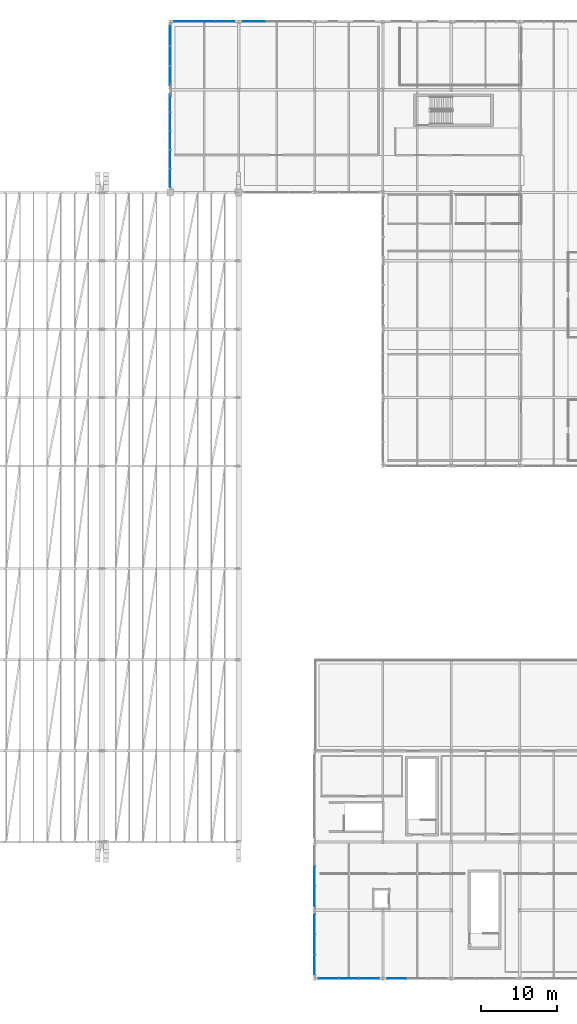
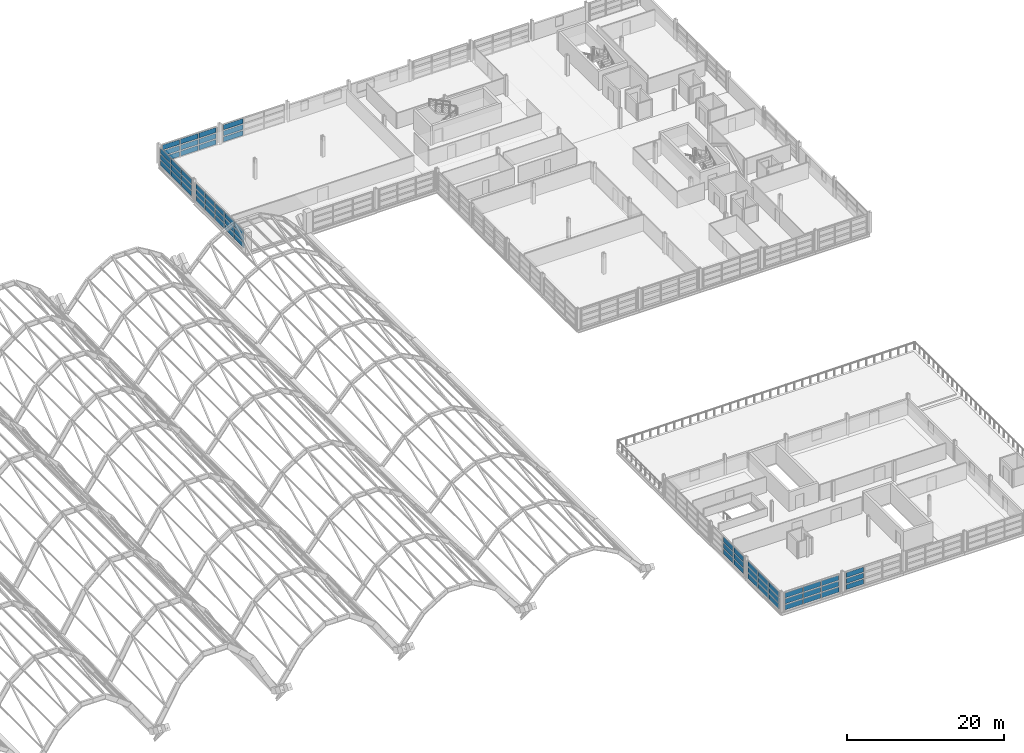
# One storey, part 56 of 86: 63 plates, 8 elements without a shape of their own.
"""IFC4 building model written with IfcOpenShell, lengths in metres."""

from ifc_helpers import new_model, si_unit, direction, frame, origin, origin_2d, place, context, subcontext, project, spatial, rectangle, extrude, material, layer, layer_set, type_object, element, aggregate, save


model = new_model("IFC4")

# Units and contexts
model_context = context("Model", 3, precision=1e-05, world=origin(), true_north=direction((0.0, 1.0)))
body_context = subcontext(model_context, "Body", "Model", "MODEL_VIEW")
ifc_project = project(units=[si_unit("LENGTHUNIT", "METRE"), si_unit("AREAUNIT", "SQUARE_METRE"), si_unit("VOLUMEUNIT", "CUBIC_METRE"), si_unit("PLANEANGLEUNIT", "RADIAN"), si_unit("MASSUNIT", "GRAM", prefix="KILO")], contexts=[model_context])

# Site, building, storey
site_placement = place(None, origin())
site = spatial("IfcSite", under=ifc_project, at=site_placement, CompositionType="ELEMENT")
building_placement = place(site_placement, origin())
building = spatial("IfcBuilding", under=site, at=building_placement, Name="Chuanluo Vaults Station", CompositionType="ELEMENT")
storey_placement = place(building_placement, frame((0.0, 0.0, 14.39990234375)))
storey = spatial("IfcBuildingStorey", under=building, at=storey_placement, Name="L03", CompositionType="ELEMENT", Elevation=14.39990234375)

# Curtain wall, plates
ifc_material_1 = material(Name="Anodised aluminium 6063-T6", Category="aluminium")
curtain_wall_type_1 = type_object("IfcCurtainWallType", Name="CW-SYS-03", PredefinedType="NOTDEFINED", material=ifc_material_1)
curtain_wall_1_placement = place(storey_placement, origin())
curtain_wall_1 = element("IfcCurtainWall", 1, at=curtain_wall_1_placement, inside=storey, type_object=curtain_wall_type_1, Name="Retail pavilion L03 facade CW", PredefinedType="NOTDEFINED")
ifc_material_2 = material(Name="Ceramic-fritted spandrel glass", Category="glass")
ifc_layer_1 = layer(ifc_material_2, 0.06396484375)
ifc_layer_set_1 = layer_set([ifc_layer_1], Name="Ceramic-fritted spandrel glass")
plate_type_1 = type_object("IfcPlateType", Name="CWP-SPN-42", PredefinedType="SHEET", material=ifc_layer_set_1)
plate_1_placement = place(storey_placement, frame((136.0, 10.816650390625, 0.080078125), z_axis=(0.0, 0.0, 1.0), x_axis=(0.0, 1.0, 0.0)))
plate_1 = element("IfcPlate", 2, at=plate_1_placement, type_object=plate_type_1, Name="Retail pavilion L03 facade CW glazed panel 1.1", PredefinedType="SHEET", context=body_context, shape_type="SweptSolid", body=[
    extrude(rectangle(XDim=2.523193359375, YDim=0.06396484375, at=origin_2d()), origin(), (0.0, 0.0, 1.0), 0.773193359375),
])
plate_2_placement = place(storey_placement, frame((136.0, 13.5, 0.080078125), z_axis=(0.0, 0.0, 1.0), x_axis=(0.0, 1.0, 0.0)))
plate_2 = element("IfcPlate", 3, at=plate_2_placement, type_object=plate_type_1, Name="Retail pavilion L03 facade CW glazed panel 2.1", PredefinedType="SHEET", context=body_context, shape_type="SweptSolid", body=[
    extrude(rectangle(XDim=2.523193359375, YDim=0.06396484375, at=origin_2d()), origin(), (0.0, 0.0, 1.0), 0.773193359375),
])

ifc_material_3 = material(Name="Anodised aluminium 6063-T6", Category="aluminium")
curtain_wall_type_2 = type_object("IfcCurtainWallType", Name="CW-SYS-05", PredefinedType="NOTDEFINED", material=ifc_material_3)
curtain_wall_2_placement = place(storey_placement, origin())
curtain_wall_2 = element("IfcCurtainWall", 4, at=curtain_wall_2_placement, inside=storey, type_object=curtain_wall_type_2, Name="Retail pavilion L03 facade CW", PredefinedType="NOTDEFINED")
plate_3_placement = place(storey_placement, frame((143.183349609375, 0.0, 0.080078125), z_axis=(0.0, 0.0, 1.0), x_axis=(-1.0, 0.0, 0.0)))
plate_3 = element("IfcPlate", 5, at=plate_3_placement, type_object=plate_type_1, Name="Retail pavilion L03 facade CW glazed panel 1.1", PredefinedType="SHEET", context=body_context, shape_type="SweptSolid", body=[
    extrude(rectangle(XDim=2.523193359375, YDim=0.06396484375, at=origin_2d()), origin(), (0.0, 0.0, 1.0), 0.773193359375),
])
plate_4_placement = place(storey_placement, frame((140.5, 0.0, 0.080078125), z_axis=(0.0, 0.0, 1.0), x_axis=(-1.0, 0.0, 0.0)))
plate_4 = element("IfcPlate", 6, at=plate_4_placement, type_object=plate_type_1, Name="Retail pavilion L03 facade CW glazed panel 2.1", PredefinedType="SHEET", context=body_context, shape_type="SweptSolid", body=[
    extrude(rectangle(XDim=2.523193359375, YDim=0.06396484375, at=origin_2d()), origin(), (0.0, 0.0, 1.0), 0.773193359375),
])
plate_5_placement = place(storey_placement, frame((137.816650390625, 0.0, 0.080078125), z_axis=(0.0, 0.0, 1.0), x_axis=(-1.0, 0.0, 0.0)))
plate_5 = element("IfcPlate", 7, at=plate_5_placement, type_object=plate_type_1, Name="Retail pavilion L03 facade CW glazed panel 3.1", PredefinedType="SHEET", context=body_context, shape_type="SweptSolid", body=[
    extrude(rectangle(XDim=2.523193359375, YDim=0.06396484375, at=origin_2d()), origin(), (0.0, 0.0, 1.0), 0.773193359375),
])

ifc_material_4 = material(Name="Anodised aluminium 6063-T6", Category="aluminium")
curtain_wall_type_3 = type_object("IfcCurtainWallType", Name="CW-SYS-01", PredefinedType="NOTDEFINED", material=ifc_material_4)
curtain_wall_3_placement = place(storey_placement, origin())
curtain_wall_3 = element("IfcCurtainWall", 8, at=curtain_wall_3_placement, inside=storey, type_object=curtain_wall_type_3, Name="Operations L03 facade CW", PredefinedType="NOTDEFINED")
plate_6_placement = place(storey_placement, frame((117.0, 105.364990234375, 0.080078125), z_axis=(0.0, 0.0, 1.0), x_axis=(0.0, 1.0, 0.0)))
plate_6 = element("IfcPlate", 9, at=plate_6_placement, type_object=plate_type_1, Name="Operations L03 facade CW glazed panel 1.1", PredefinedType="SHEET", context=body_context, shape_type="SweptSolid", body=[
    extrude(rectangle(XDim=2.320068359375, YDim=0.06396484375, at=origin_2d()), origin(), (0.0, 0.0, 1.0), 0.773193359375),
])
plate_7_placement = place(storey_placement, frame((117.0, 107.844970703125, 0.080078125), z_axis=(0.0, 0.0, 1.0), x_axis=(0.0, 1.0, 0.0)))
plate_7 = element("IfcPlate", 10, at=plate_7_placement, type_object=plate_type_1, Name="Operations L03 facade CW glazed panel 2.1", PredefinedType="SHEET", context=body_context, shape_type="SweptSolid", body=[
    extrude(rectangle(XDim=2.320068359375, YDim=0.06396484375, at=origin_2d()), origin(), (0.0, 0.0, 1.0), 0.773193359375),
])
plate_8_placement = place(storey_placement, frame((117.0, 110.324951171875, 0.080078125), z_axis=(0.0, 0.0, 1.0), x_axis=(0.0, 1.0, 0.0)))
plate_8 = element("IfcPlate", 11, at=plate_8_placement, type_object=plate_type_1, Name="Operations L03 facade CW glazed panel 3.1", PredefinedType="SHEET", context=body_context, shape_type="SweptSolid", body=[
    extrude(rectangle(XDim=2.320068359375, YDim=0.06396484375, at=origin_2d()), origin(), (0.0, 0.0, 1.0), 0.773193359375),
])
plate_9_placement = place(storey_placement, frame((117.0, 112.804931640625, 0.080078125), z_axis=(0.0, 0.0, 1.0), x_axis=(0.0, 1.0, 0.0)))
plate_9 = element("IfcPlate", 12, at=plate_9_placement, type_object=plate_type_1, Name="Operations L03 facade CW glazed panel 4.1", PredefinedType="SHEET", context=body_context, shape_type="SweptSolid", body=[
    extrude(rectangle(XDim=2.320068359375, YDim=0.06396484375, at=origin_2d()), origin(), (0.0, 0.0, 1.0), 0.773193359375),
])
plate_10_placement = place(storey_placement, frame((117.0, 115.284912109375, 0.080078125), z_axis=(0.0, 0.0, 1.0), x_axis=(0.0, 1.0, 0.0)))
plate_10 = element("IfcPlate", 13, at=plate_10_placement, type_object=plate_type_1, Name="Operations L03 facade CW glazed panel 5.1", PredefinedType="SHEET", context=body_context, shape_type="SweptSolid", body=[
    extrude(rectangle(XDim=2.320068359375, YDim=0.06396484375, at=origin_2d()), origin(), (0.0, 0.0, 1.0), 0.773193359375),
])

curtain_wall_4_placement = place(storey_placement, origin())
curtain_wall_4 = element("IfcCurtainWall", 14, at=curtain_wall_4_placement, inside=storey, type_object=curtain_wall_type_1, Name="Operations L03 facade CW", PredefinedType="NOTDEFINED")
plate_11_placement = place(storey_placement, frame((118.816650390625, 126.0, 0.080078125), z_axis=(0.0, 0.0, 1.0), x_axis=(1.0, 0.0, 0.0)))
plate_11 = element("IfcPlate", 15, at=plate_11_placement, type_object=plate_type_1, Name="Operations L03 facade CW glazed panel 1.1", PredefinedType="SHEET", context=body_context, shape_type="SweptSolid", body=[
    extrude(rectangle(XDim=2.523193359375, YDim=0.06396484375, at=origin_2d()), origin(), (0.0, 0.0, 1.0), 0.773193359375),
])
plate_12_placement = place(storey_placement, frame((121.5, 126.0, 0.080078125), z_axis=(0.0, 0.0, 1.0), x_axis=(1.0, 0.0, 0.0)))
plate_12 = element("IfcPlate", 16, at=plate_12_placement, type_object=plate_type_1, Name="Operations L03 facade CW glazed panel 2.1", PredefinedType="SHEET", context=body_context, shape_type="SweptSolid", body=[
    extrude(rectangle(XDim=2.523193359375, YDim=0.06396484375, at=origin_2d()), origin(), (0.0, 0.0, 1.0), 0.773193359375),
])
plate_13_placement = place(storey_placement, frame((124.183349609375, 126.0, 0.080078125), z_axis=(0.0, 0.0, 1.0), x_axis=(1.0, 0.0, 0.0)))
plate_13 = element("IfcPlate", 17, at=plate_13_placement, type_object=plate_type_1, Name="Operations L03 facade CW glazed panel 3.1", PredefinedType="SHEET", context=body_context, shape_type="SweptSolid", body=[
    extrude(rectangle(XDim=2.523193359375, YDim=0.06396484375, at=origin_2d()), origin(), (0.0, 0.0, 1.0), 0.773193359375),
])

ifc_material_5 = material(Name="Anodised aluminium 6063-T6", Category="aluminium")
curtain_wall_type_4 = type_object("IfcCurtainWallType", Name="CW-SYS-02", PredefinedType="NOTDEFINED", material=ifc_material_5)
curtain_wall_5_placement = place(storey_placement, origin())
curtain_wall_5 = element("IfcCurtainWall", 18, at=curtain_wall_5_placement, inside=storey, type_object=curtain_wall_type_4, Name="Retail pavilion L03 facade CW", PredefinedType="NOTDEFINED")
ifc_material_6 = material(Name="Ceramic-fritted spandrel glass", Category="glass")
ifc_layer_2 = layer(ifc_material_6, 0.070068359375)
ifc_layer_set_2 = layer_set([ifc_layer_2], Name="Ceramic-fritted spandrel glass")
plate_type_2 = type_object("IfcPlateType", Name="CWP-SPN-50", PredefinedType="SHEET", material=ifc_layer_set_2)
plate_14_placement = place(storey_placement, frame((136.0, 1.816650390625, 0.080078125), z_axis=(0.0, 0.0, 1.0), x_axis=(0.0, 1.0, 0.0)))
plate_14 = element("IfcPlate", 19, at=plate_14_placement, type_object=plate_type_2, Name="Retail pavilion L03 facade CW glazed panel 1.1", PredefinedType="SHEET", context=body_context, shape_type="SweptSolid", body=[
    extrude(rectangle(XDim=2.523193359375, YDim=0.070068359375, at=origin_2d()), origin(), (0.0, 0.0, 1.0), 0.773193359375),
])
plate_15_placement = place(storey_placement, frame((136.0, 4.5, 0.080078125), z_axis=(0.0, 0.0, 1.0), x_axis=(0.0, 1.0, 0.0)))
plate_15 = element("IfcPlate", 20, at=plate_15_placement, type_object=plate_type_2, Name="Retail pavilion L03 facade CW glazed panel 2.1", PredefinedType="SHEET", context=body_context, shape_type="SweptSolid", body=[
    extrude(rectangle(XDim=2.523193359375, YDim=0.070068359375, at=origin_2d()), origin(), (0.0, 0.0, 1.0), 0.773193359375),
])
plate_16_placement = place(storey_placement, frame((136.0, 7.183349609375, 0.080078125), z_axis=(0.0, 0.0, 1.0), x_axis=(0.0, 1.0, 0.0)))
plate_16 = element("IfcPlate", 21, at=plate_16_placement, type_object=plate_type_2, Name="Retail pavilion L03 facade CW glazed panel 3.1", PredefinedType="SHEET", context=body_context, shape_type="SweptSolid", body=[
    extrude(rectangle(XDim=2.523193359375, YDim=0.070068359375, at=origin_2d()), origin(), (0.0, 0.0, 1.0), 0.773193359375),
])

# Curtain wall, plate
ifc_material_7 = material(Name="Anodised aluminium 6063-T6", Category="aluminium")
curtain_wall_type_5 = type_object("IfcCurtainWallType", Name="CW-SYS-06", PredefinedType="NOTDEFINED", material=ifc_material_7)
curtain_wall_6_placement = place(storey_placement, origin())
curtain_wall_6 = element("IfcCurtainWall", 22, at=curtain_wall_6_placement, inside=storey, type_object=curtain_wall_type_5, Name="Retail pavilion L03 facade CW", PredefinedType="NOTDEFINED")
plate_17_placement = place(storey_placement, frame((146.816650390625, 0.0, 0.080078125), z_axis=(0.0, 0.0, 1.0), x_axis=(-1.0, 0.0, 0.0)))
plate_17 = element("IfcPlate", 23, at=plate_17_placement, type_object=plate_type_2, Name="Retail pavilion L03 facade CW glazed panel 3.1", PredefinedType="SHEET", context=body_context, shape_type="SweptSolid", body=[
    extrude(rectangle(XDim=2.523193359375, YDim=0.070068359375, at=origin_2d()), origin(), (0.0, 0.0, 1.0), 0.773193359375),
])

# Curtain wall, plates
curtain_wall_7_placement = place(storey_placement, origin())
curtain_wall_7 = element("IfcCurtainWall", 24, at=curtain_wall_7_placement, inside=storey, type_object=curtain_wall_type_4, Name="Operations L03 facade CW", PredefinedType="NOTDEFINED")
plate_18_placement = place(storey_placement, frame((117.0, 118.816650390625, 0.080078125), z_axis=(0.0, 0.0, 1.0), x_axis=(0.0, 1.0, 0.0)))
plate_18 = element("IfcPlate", 25, at=plate_18_placement, type_object=plate_type_2, Name="Operations L03 facade CW glazed panel 1.1", PredefinedType="SHEET", context=body_context, shape_type="SweptSolid", body=[
    extrude(rectangle(XDim=2.523193359375, YDim=0.070068359375, at=origin_2d()), origin(), (0.0, 0.0, 1.0), 0.773193359375),
])
plate_19_placement = place(storey_placement, frame((117.0, 121.5, 0.080078125), z_axis=(0.0, 0.0, 1.0), x_axis=(0.0, 1.0, 0.0)))
plate_19 = element("IfcPlate", 26, at=plate_19_placement, type_object=plate_type_2, Name="Operations L03 facade CW glazed panel 2.1", PredefinedType="SHEET", context=body_context, shape_type="SweptSolid", body=[
    extrude(rectangle(XDim=2.523193359375, YDim=0.070068359375, at=origin_2d()), origin(), (0.0, 0.0, 1.0), 0.773193359375),
])
plate_20_placement = place(storey_placement, frame((117.0, 124.183349609375, 0.080078125), z_axis=(0.0, 0.0, 1.0), x_axis=(0.0, 1.0, 0.0)))
plate_20 = element("IfcPlate", 27, at=plate_20_placement, type_object=plate_type_2, Name="Operations L03 facade CW glazed panel 3.1", PredefinedType="SHEET", context=body_context, shape_type="SweptSolid", body=[
    extrude(rectangle(XDim=2.523193359375, YDim=0.070068359375, at=origin_2d()), origin(), (0.0, 0.0, 1.0), 0.773193359375),
])

ifc_material_8 = material(Name="Anodised aluminium 6063-T6", Category="aluminium")
curtain_wall_type_6 = type_object("IfcCurtainWallType", Name="CW-SYS-04", PredefinedType="NOTDEFINED", material=ifc_material_8)
curtain_wall_8_placement = place(storey_placement, origin())
curtain_wall_8 = element("IfcCurtainWall", 28, at=curtain_wall_8_placement, inside=storey, type_object=curtain_wall_type_6, Name="Operations L03 facade CW", PredefinedType="NOTDEFINED")
plate_21_placement = place(storey_placement, frame((127.9833984375, 126.0, 0.080078125), z_axis=(0.0, 0.0, 1.0), x_axis=(1.0, 0.0, 0.0)))
plate_21 = element("IfcPlate", 29, at=plate_21_placement, type_object=plate_type_2, Name="Operations L03 facade CW glazed panel 1.1", PredefinedType="SHEET", context=body_context, shape_type="SweptSolid", body=[
    extrude(rectangle(XDim=2.856689453125, YDim=0.070068359375, at=origin_2d()), origin(), (0.0, 0.0, 1.0), 0.773193359375),
])
ifc_material_9 = material(Name="Double-silver Low-E laminated glass", Category="glass")
ifc_layer_3 = layer(ifc_material_9, 0.0439453125)
ifc_layer_set_3 = layer_set([ifc_layer_3], Name="Double-silver Low-E laminated glass")
plate_type_3 = type_object("IfcPlateType", Name="CWP-VIS-28", PredefinedType="CURTAIN_PANEL", material=ifc_layer_set_3)
plate_22_placement = place(storey_placement, frame((127.9833984375, 126.0, 1.013427734375), z_axis=(0.0, 0.0, 1.0), x_axis=(1.0, 0.0, 0.0)))
plate_22 = element("IfcPlate", 30, at=plate_22_placement, type_object=plate_type_3, Name="Operations L03 facade CW glazed panel 1.2", PredefinedType="CURTAIN_PANEL", context=body_context, shape_type="SweptSolid", body=[
    extrude(rectangle(XDim=2.856689453125, YDim=0.0439453125, at=origin_2d()), origin(), (0.0, 0.0, 1.0), 0.7734375),
])
plate_23_placement = place(storey_placement, frame((127.9833984375, 126.0, 1.94677734375), z_axis=(0.0, 0.0, 1.0), x_axis=(1.0, 0.0, 0.0)))
plate_23 = element("IfcPlate", 31, at=plate_23_placement, type_object=plate_type_3, Name="Operations L03 facade CW glazed panel 1.3", PredefinedType="CURTAIN_PANEL", context=body_context, shape_type="SweptSolid", body=[
    extrude(rectangle(XDim=2.856689453125, YDim=0.0439453125, at=origin_2d()), origin(), (0.0, 0.0, 1.0), 0.773193359375),
])
aggregate(curtain_wall_8, [plate_21, plate_22, plate_23])

# Plate
ifc_material_10 = material(Name="Double-silver Low-E laminated glass", Category="glass")
ifc_layer_4 = layer(ifc_material_10, 0.048095703125)
ifc_layer_set_4 = layer_set([ifc_layer_4], Name="Double-silver Low-E laminated glass")
plate_type_4 = type_object("IfcPlateType", Name="CWP-VIS-32", PredefinedType="CURTAIN_PANEL", material=ifc_layer_set_4)
plate_24_placement = place(storey_placement, frame((136.0, 10.816650390625, 1.013427734375), z_axis=(0.0, 0.0, 1.0), x_axis=(0.0, 1.0, 0.0)))
plate_24 = element("IfcPlate", 32, at=plate_24_placement, type_object=plate_type_4, Name="Retail pavilion L03 facade CW glazed panel 1.2", PredefinedType="CURTAIN_PANEL", context=body_context, shape_type="SweptSolid", body=[
    extrude(rectangle(XDim=2.523193359375, YDim=0.048095703125, at=origin_2d()), origin(), (0.0, 0.0, 1.0), 0.7734375),
])

plate_25_placement = place(storey_placement, frame((136.0, 10.816650390625, 1.94677734375), z_axis=(0.0, 0.0, 1.0), x_axis=(0.0, 1.0, 0.0)))
plate_25 = element("IfcPlate", 33, at=plate_25_placement, type_object=plate_type_4, Name="Retail pavilion L03 facade CW glazed panel 1.3", PredefinedType="CURTAIN_PANEL", context=body_context, shape_type="SweptSolid", body=[
    extrude(rectangle(XDim=2.523193359375, YDim=0.048095703125, at=origin_2d()), origin(), (0.0, 0.0, 1.0), 0.773193359375),
])

plate_26_placement = place(storey_placement, frame((136.0, 13.5, 1.013427734375), z_axis=(0.0, 0.0, 1.0), x_axis=(0.0, 1.0, 0.0)))
plate_26 = element("IfcPlate", 34, at=plate_26_placement, type_object=plate_type_4, Name="Retail pavilion L03 facade CW glazed panel 2.2", PredefinedType="CURTAIN_PANEL", context=body_context, shape_type="SweptSolid", body=[
    extrude(rectangle(XDim=2.523193359375, YDim=0.048095703125, at=origin_2d()), origin(), (0.0, 0.0, 1.0), 0.7734375),
])

plate_27_placement = place(storey_placement, frame((136.0, 13.5, 1.94677734375), z_axis=(0.0, 0.0, 1.0), x_axis=(0.0, 1.0, 0.0)))
plate_27 = element("IfcPlate", 35, at=plate_27_placement, type_object=plate_type_4, Name="Retail pavilion L03 facade CW glazed panel 2.3", PredefinedType="CURTAIN_PANEL", context=body_context, shape_type="SweptSolid", body=[
    extrude(rectangle(XDim=2.523193359375, YDim=0.048095703125, at=origin_2d()), origin(), (0.0, 0.0, 1.0), 0.773193359375),
])

aggregate(curtain_wall_1, [plate_1, plate_24, plate_25, plate_2, plate_26, plate_27])

plate_28_placement = place(storey_placement, frame((118.816650390625, 126.0, 1.013427734375), z_axis=(0.0, 0.0, 1.0), x_axis=(1.0, 0.0, 0.0)))
plate_28 = element("IfcPlate", 36, at=plate_28_placement, type_object=plate_type_4, Name="Operations L03 facade CW glazed panel 1.2", PredefinedType="CURTAIN_PANEL", context=body_context, shape_type="SweptSolid", body=[
    extrude(rectangle(XDim=2.523193359375, YDim=0.048095703125, at=origin_2d()), origin(), (0.0, 0.0, 1.0), 0.7734375),
])

plate_29_placement = place(storey_placement, frame((118.816650390625, 126.0, 1.94677734375), z_axis=(0.0, 0.0, 1.0), x_axis=(1.0, 0.0, 0.0)))
plate_29 = element("IfcPlate", 37, at=plate_29_placement, type_object=plate_type_4, Name="Operations L03 facade CW glazed panel 1.3", PredefinedType="CURTAIN_PANEL", context=body_context, shape_type="SweptSolid", body=[
    extrude(rectangle(XDim=2.523193359375, YDim=0.048095703125, at=origin_2d()), origin(), (0.0, 0.0, 1.0), 0.773193359375),
])

plate_30_placement = place(storey_placement, frame((121.5, 126.0, 1.013427734375), z_axis=(0.0, 0.0, 1.0), x_axis=(1.0, 0.0, 0.0)))
plate_30 = element("IfcPlate", 38, at=plate_30_placement, type_object=plate_type_4, Name="Operations L03 facade CW glazed panel 2.2", PredefinedType="CURTAIN_PANEL", context=body_context, shape_type="SweptSolid", body=[
    extrude(rectangle(XDim=2.523193359375, YDim=0.048095703125, at=origin_2d()), origin(), (0.0, 0.0, 1.0), 0.7734375),
])

plate_31_placement = place(storey_placement, frame((121.5, 126.0, 1.94677734375), z_axis=(0.0, 0.0, 1.0), x_axis=(1.0, 0.0, 0.0)))
plate_31 = element("IfcPlate", 39, at=plate_31_placement, type_object=plate_type_4, Name="Operations L03 facade CW glazed panel 2.3", PredefinedType="CURTAIN_PANEL", context=body_context, shape_type="SweptSolid", body=[
    extrude(rectangle(XDim=2.523193359375, YDim=0.048095703125, at=origin_2d()), origin(), (0.0, 0.0, 1.0), 0.773193359375),
])

plate_32_placement = place(storey_placement, frame((124.183349609375, 126.0, 1.013427734375), z_axis=(0.0, 0.0, 1.0), x_axis=(1.0, 0.0, 0.0)))
plate_32 = element("IfcPlate", 40, at=plate_32_placement, type_object=plate_type_4, Name="Operations L03 facade CW glazed panel 3.2", PredefinedType="CURTAIN_PANEL", context=body_context, shape_type="SweptSolid", body=[
    extrude(rectangle(XDim=2.523193359375, YDim=0.048095703125, at=origin_2d()), origin(), (0.0, 0.0, 1.0), 0.7734375),
])

plate_33_placement = place(storey_placement, frame((124.183349609375, 126.0, 1.94677734375), z_axis=(0.0, 0.0, 1.0), x_axis=(1.0, 0.0, 0.0)))
plate_33 = element("IfcPlate", 41, at=plate_33_placement, type_object=plate_type_4, Name="Operations L03 facade CW glazed panel 3.3", PredefinedType="CURTAIN_PANEL", context=body_context, shape_type="SweptSolid", body=[
    extrude(rectangle(XDim=2.523193359375, YDim=0.048095703125, at=origin_2d()), origin(), (0.0, 0.0, 1.0), 0.773193359375),
])

aggregate(curtain_wall_4, [plate_11, plate_28, plate_29, plate_12, plate_30, plate_31, plate_13, plate_32, plate_33])

ifc_material_11 = material(Name="Double-silver Low-E laminated glass", Category="glass")
ifc_layer_5 = layer(ifc_material_11, 0.053955078125)
ifc_layer_set_5 = layer_set([ifc_layer_5], Name="Double-silver Low-E laminated glass")
plate_type_5 = type_object("IfcPlateType", Name="CWP-VIS-36", PredefinedType="CURTAIN_PANEL", material=ifc_layer_set_5)
plate_34_placement = place(storey_placement, frame((136.0, 1.816650390625, 1.013427734375), z_axis=(0.0, 0.0, 1.0), x_axis=(0.0, 1.0, 0.0)))
plate_34 = element("IfcPlate", 42, at=plate_34_placement, type_object=plate_type_5, Name="Retail pavilion L03 facade CW glazed panel 1.2", PredefinedType="CURTAIN_PANEL", context=body_context, shape_type="SweptSolid", body=[
    extrude(rectangle(XDim=2.523193359375, YDim=0.053955078125, at=origin_2d()), origin(), (0.0, 0.0, 1.0), 0.7734375),
])

plate_35_placement = place(storey_placement, frame((136.0, 1.816650390625, 1.94677734375), z_axis=(0.0, 0.0, 1.0), x_axis=(0.0, 1.0, 0.0)))
plate_35 = element("IfcPlate", 43, at=plate_35_placement, type_object=plate_type_5, Name="Retail pavilion L03 facade CW glazed panel 1.3", PredefinedType="CURTAIN_PANEL", context=body_context, shape_type="SweptSolid", body=[
    extrude(rectangle(XDim=2.523193359375, YDim=0.053955078125, at=origin_2d()), origin(), (0.0, 0.0, 1.0), 0.773193359375),
])

plate_36_placement = place(storey_placement, frame((136.0, 4.5, 1.013427734375), z_axis=(0.0, 0.0, 1.0), x_axis=(0.0, 1.0, 0.0)))
plate_36 = element("IfcPlate", 44, at=plate_36_placement, type_object=plate_type_5, Name="Retail pavilion L03 facade CW glazed panel 2.2", PredefinedType="CURTAIN_PANEL", context=body_context, shape_type="SweptSolid", body=[
    extrude(rectangle(XDim=2.523193359375, YDim=0.053955078125, at=origin_2d()), origin(), (0.0, 0.0, 1.0), 0.7734375),
])

plate_37_placement = place(storey_placement, frame((136.0, 4.5, 1.94677734375), z_axis=(0.0, 0.0, 1.0), x_axis=(0.0, 1.0, 0.0)))
plate_37 = element("IfcPlate", 45, at=plate_37_placement, type_object=plate_type_5, Name="Retail pavilion L03 facade CW glazed panel 2.3", PredefinedType="CURTAIN_PANEL", context=body_context, shape_type="SweptSolid", body=[
    extrude(rectangle(XDim=2.523193359375, YDim=0.053955078125, at=origin_2d()), origin(), (0.0, 0.0, 1.0), 0.773193359375),
])

plate_38_placement = place(storey_placement, frame((136.0, 7.183349609375, 1.013427734375), z_axis=(0.0, 0.0, 1.0), x_axis=(0.0, 1.0, 0.0)))
plate_38 = element("IfcPlate", 46, at=plate_38_placement, type_object=plate_type_5, Name="Retail pavilion L03 facade CW glazed panel 3.2", PredefinedType="CURTAIN_PANEL", context=body_context, shape_type="SweptSolid", body=[
    extrude(rectangle(XDim=2.523193359375, YDim=0.053955078125, at=origin_2d()), origin(), (0.0, 0.0, 1.0), 0.7734375),
])

plate_39_placement = place(storey_placement, frame((136.0, 7.183349609375, 1.94677734375), z_axis=(0.0, 0.0, 1.0), x_axis=(0.0, 1.0, 0.0)))
plate_39 = element("IfcPlate", 47, at=plate_39_placement, type_object=plate_type_5, Name="Retail pavilion L03 facade CW glazed panel 3.3", PredefinedType="CURTAIN_PANEL", context=body_context, shape_type="SweptSolid", body=[
    extrude(rectangle(XDim=2.523193359375, YDim=0.053955078125, at=origin_2d()), origin(), (0.0, 0.0, 1.0), 0.773193359375),
])

aggregate(curtain_wall_5, [plate_14, plate_34, plate_35, plate_15, plate_36, plate_37, plate_16, plate_38, plate_39])

plate_40_placement = place(storey_placement, frame((146.816650390625, 0.0, 1.013427734375), z_axis=(0.0, 0.0, 1.0), x_axis=(-1.0, 0.0, 0.0)))
plate_40 = element("IfcPlate", 48, at=plate_40_placement, type_object=plate_type_5, Name="Retail pavilion L03 facade CW glazed panel 3.2", PredefinedType="CURTAIN_PANEL", context=body_context, shape_type="SweptSolid", body=[
    extrude(rectangle(XDim=2.523193359375, YDim=0.053955078125, at=origin_2d()), origin(), (0.0, 0.0, 1.0), 0.7734375),
])

plate_41_placement = place(storey_placement, frame((146.816650390625, 0.0, 1.94677734375), z_axis=(0.0, 0.0, 1.0), x_axis=(-1.0, 0.0, 0.0)))
plate_41 = element("IfcPlate", 49, at=plate_41_placement, type_object=plate_type_5, Name="Retail pavilion L03 facade CW glazed panel 3.3", PredefinedType="CURTAIN_PANEL", context=body_context, shape_type="SweptSolid", body=[
    extrude(rectangle(XDim=2.523193359375, YDim=0.053955078125, at=origin_2d()), origin(), (0.0, 0.0, 1.0), 0.773193359375),
])

aggregate(curtain_wall_6, [plate_17, plate_40, plate_41])

plate_42_placement = place(storey_placement, frame((117.0, 118.816650390625, 1.013427734375), z_axis=(0.0, 0.0, 1.0), x_axis=(0.0, 1.0, 0.0)))
plate_42 = element("IfcPlate", 50, at=plate_42_placement, type_object=plate_type_5, Name="Operations L03 facade CW glazed panel 1.2", PredefinedType="CURTAIN_PANEL", context=body_context, shape_type="SweptSolid", body=[
    extrude(rectangle(XDim=2.523193359375, YDim=0.053955078125, at=origin_2d()), origin(), (0.0, 0.0, 1.0), 0.7734375),
])

plate_43_placement = place(storey_placement, frame((117.0, 118.816650390625, 1.94677734375), z_axis=(0.0, 0.0, 1.0), x_axis=(0.0, 1.0, 0.0)))
plate_43 = element("IfcPlate", 51, at=plate_43_placement, type_object=plate_type_5, Name="Operations L03 facade CW glazed panel 1.3", PredefinedType="CURTAIN_PANEL", context=body_context, shape_type="SweptSolid", body=[
    extrude(rectangle(XDim=2.523193359375, YDim=0.053955078125, at=origin_2d()), origin(), (0.0, 0.0, 1.0), 0.773193359375),
])

plate_44_placement = place(storey_placement, frame((117.0, 121.5, 1.013427734375), z_axis=(0.0, 0.0, 1.0), x_axis=(0.0, 1.0, 0.0)))
plate_44 = element("IfcPlate", 52, at=plate_44_placement, type_object=plate_type_5, Name="Operations L03 facade CW glazed panel 2.2", PredefinedType="CURTAIN_PANEL", context=body_context, shape_type="SweptSolid", body=[
    extrude(rectangle(XDim=2.523193359375, YDim=0.053955078125, at=origin_2d()), origin(), (0.0, 0.0, 1.0), 0.7734375),
])

plate_45_placement = place(storey_placement, frame((117.0, 121.5, 1.94677734375), z_axis=(0.0, 0.0, 1.0), x_axis=(0.0, 1.0, 0.0)))
plate_45 = element("IfcPlate", 53, at=plate_45_placement, type_object=plate_type_5, Name="Operations L03 facade CW glazed panel 2.3", PredefinedType="CURTAIN_PANEL", context=body_context, shape_type="SweptSolid", body=[
    extrude(rectangle(XDim=2.523193359375, YDim=0.053955078125, at=origin_2d()), origin(), (0.0, 0.0, 1.0), 0.773193359375),
])

plate_46_placement = place(storey_placement, frame((117.0, 124.183349609375, 1.013427734375), z_axis=(0.0, 0.0, 1.0), x_axis=(0.0, 1.0, 0.0)))
plate_46 = element("IfcPlate", 54, at=plate_46_placement, type_object=plate_type_5, Name="Operations L03 facade CW glazed panel 3.2", PredefinedType="CURTAIN_PANEL", context=body_context, shape_type="SweptSolid", body=[
    extrude(rectangle(XDim=2.523193359375, YDim=0.053955078125, at=origin_2d()), origin(), (0.0, 0.0, 1.0), 0.7734375),
])

plate_47_placement = place(storey_placement, frame((117.0, 124.183349609375, 1.94677734375), z_axis=(0.0, 0.0, 1.0), x_axis=(0.0, 1.0, 0.0)))
plate_47 = element("IfcPlate", 55, at=plate_47_placement, type_object=plate_type_5, Name="Operations L03 facade CW glazed panel 3.3", PredefinedType="CURTAIN_PANEL", context=body_context, shape_type="SweptSolid", body=[
    extrude(rectangle(XDim=2.523193359375, YDim=0.053955078125, at=origin_2d()), origin(), (0.0, 0.0, 1.0), 0.773193359375),
])

aggregate(curtain_wall_7, [plate_18, plate_42, plate_43, plate_19, plate_44, plate_45, plate_20, plate_46, plate_47])

ifc_material_12 = material(Name="Double-silver Low-E laminated glass", Category="glass")
ifc_layer_6 = layer(ifc_material_12, 0.05810546875)
ifc_layer_set_6 = layer_set([ifc_layer_6], Name="Double-silver Low-E laminated glass")
plate_type_6 = type_object("IfcPlateType", Name="CWP-VIS-38", PredefinedType="CURTAIN_PANEL", material=ifc_layer_set_6)
plate_48_placement = place(storey_placement, frame((143.183349609375, 0.0, 1.013427734375), z_axis=(0.0, 0.0, 1.0), x_axis=(-1.0, 0.0, 0.0)))
plate_48 = element("IfcPlate", 56, at=plate_48_placement, type_object=plate_type_6, Name="Retail pavilion L03 facade CW glazed panel 1.2", PredefinedType="CURTAIN_PANEL", context=body_context, shape_type="SweptSolid", body=[
    extrude(rectangle(XDim=2.523193359375, YDim=0.05810546875, at=origin_2d()), origin(), (0.0, 0.0, 1.0), 0.7734375),
])

plate_49_placement = place(storey_placement, frame((143.183349609375, 0.0, 1.94677734375), z_axis=(0.0, 0.0, 1.0), x_axis=(-1.0, 0.0, 0.0)))
plate_49 = element("IfcPlate", 57, at=plate_49_placement, type_object=plate_type_6, Name="Retail pavilion L03 facade CW glazed panel 1.3", PredefinedType="CURTAIN_PANEL", context=body_context, shape_type="SweptSolid", body=[
    extrude(rectangle(XDim=2.523193359375, YDim=0.05810546875, at=origin_2d()), origin(), (0.0, 0.0, 1.0), 0.773193359375),
])

plate_50_placement = place(storey_placement, frame((140.5, 0.0, 1.013427734375), z_axis=(0.0, 0.0, 1.0), x_axis=(-1.0, 0.0, 0.0)))
plate_50 = element("IfcPlate", 58, at=plate_50_placement, type_object=plate_type_6, Name="Retail pavilion L03 facade CW glazed panel 2.2", PredefinedType="CURTAIN_PANEL", context=body_context, shape_type="SweptSolid", body=[
    extrude(rectangle(XDim=2.523193359375, YDim=0.05810546875, at=origin_2d()), origin(), (0.0, 0.0, 1.0), 0.7734375),
])

plate_51_placement = place(storey_placement, frame((140.5, 0.0, 1.94677734375), z_axis=(0.0, 0.0, 1.0), x_axis=(-1.0, 0.0, 0.0)))
plate_51 = element("IfcPlate", 59, at=plate_51_placement, type_object=plate_type_6, Name="Retail pavilion L03 facade CW glazed panel 2.3", PredefinedType="CURTAIN_PANEL", context=body_context, shape_type="SweptSolid", body=[
    extrude(rectangle(XDim=2.523193359375, YDim=0.05810546875, at=origin_2d()), origin(), (0.0, 0.0, 1.0), 0.773193359375),
])

plate_52_placement = place(storey_placement, frame((137.816650390625, 0.0, 1.013427734375), z_axis=(0.0, 0.0, 1.0), x_axis=(-1.0, 0.0, 0.0)))
plate_52 = element("IfcPlate", 60, at=plate_52_placement, type_object=plate_type_6, Name="Retail pavilion L03 facade CW glazed panel 3.2", PredefinedType="CURTAIN_PANEL", context=body_context, shape_type="SweptSolid", body=[
    extrude(rectangle(XDim=2.523193359375, YDim=0.05810546875, at=origin_2d()), origin(), (0.0, 0.0, 1.0), 0.7734375),
])

plate_53_placement = place(storey_placement, frame((137.816650390625, 0.0, 1.94677734375), z_axis=(0.0, 0.0, 1.0), x_axis=(-1.0, 0.0, 0.0)))
plate_53 = element("IfcPlate", 61, at=plate_53_placement, type_object=plate_type_6, Name="Retail pavilion L03 facade CW glazed panel 3.3", PredefinedType="CURTAIN_PANEL", context=body_context, shape_type="SweptSolid", body=[
    extrude(rectangle(XDim=2.523193359375, YDim=0.05810546875, at=origin_2d()), origin(), (0.0, 0.0, 1.0), 0.773193359375),
])

aggregate(curtain_wall_2, [plate_3, plate_48, plate_49, plate_4, plate_50, plate_51, plate_5, plate_52, plate_53])

plate_54_placement = place(storey_placement, frame((117.0, 105.364990234375, 1.013427734375), z_axis=(0.0, 0.0, 1.0), x_axis=(0.0, 1.0, 0.0)))
plate_54 = element("IfcPlate", 62, at=plate_54_placement, type_object=plate_type_6, Name="Operations L03 facade CW glazed panel 1.2", PredefinedType="CURTAIN_PANEL", context=body_context, shape_type="SweptSolid", body=[
    extrude(rectangle(XDim=2.320068359375, YDim=0.05810546875, at=origin_2d()), origin(), (0.0, 0.0, 1.0), 0.7734375),
])

plate_55_placement = place(storey_placement, frame((117.0, 105.364990234375, 1.94677734375), z_axis=(0.0, 0.0, 1.0), x_axis=(0.0, 1.0, 0.0)))
plate_55 = element("IfcPlate", 63, at=plate_55_placement, type_object=plate_type_6, Name="Operations L03 facade CW glazed panel 1.3", PredefinedType="CURTAIN_PANEL", context=body_context, shape_type="SweptSolid", body=[
    extrude(rectangle(XDim=2.320068359375, YDim=0.05810546875, at=origin_2d()), origin(), (0.0, 0.0, 1.0), 0.773193359375),
])

plate_56_placement = place(storey_placement, frame((117.0, 107.844970703125, 1.013427734375), z_axis=(0.0, 0.0, 1.0), x_axis=(0.0, 1.0, 0.0)))
plate_56 = element("IfcPlate", 64, at=plate_56_placement, type_object=plate_type_6, Name="Operations L03 facade CW glazed panel 2.2", PredefinedType="CURTAIN_PANEL", context=body_context, shape_type="SweptSolid", body=[
    extrude(rectangle(XDim=2.320068359375, YDim=0.05810546875, at=origin_2d()), origin(), (0.0, 0.0, 1.0), 0.7734375),
])

plate_57_placement = place(storey_placement, frame((117.0, 107.844970703125, 1.94677734375), z_axis=(0.0, 0.0, 1.0), x_axis=(0.0, 1.0, 0.0)))
plate_57 = element("IfcPlate", 65, at=plate_57_placement, type_object=plate_type_6, Name="Operations L03 facade CW glazed panel 2.3", PredefinedType="CURTAIN_PANEL", context=body_context, shape_type="SweptSolid", body=[
    extrude(rectangle(XDim=2.320068359375, YDim=0.05810546875, at=origin_2d()), origin(), (0.0, 0.0, 1.0), 0.773193359375),
])

plate_58_placement = place(storey_placement, frame((117.0, 110.324951171875, 1.013427734375), z_axis=(0.0, 0.0, 1.0), x_axis=(0.0, 1.0, 0.0)))
plate_58 = element("IfcPlate", 66, at=plate_58_placement, type_object=plate_type_6, Name="Operations L03 facade CW glazed panel 3.2", PredefinedType="CURTAIN_PANEL", context=body_context, shape_type="SweptSolid", body=[
    extrude(rectangle(XDim=2.320068359375, YDim=0.05810546875, at=origin_2d()), origin(), (0.0, 0.0, 1.0), 0.7734375),
])

plate_59_placement = place(storey_placement, frame((117.0, 110.324951171875, 1.94677734375), z_axis=(0.0, 0.0, 1.0), x_axis=(0.0, 1.0, 0.0)))
plate_59 = element("IfcPlate", 67, at=plate_59_placement, type_object=plate_type_6, Name="Operations L03 facade CW glazed panel 3.3", PredefinedType="CURTAIN_PANEL", context=body_context, shape_type="SweptSolid", body=[
    extrude(rectangle(XDim=2.320068359375, YDim=0.05810546875, at=origin_2d()), origin(), (0.0, 0.0, 1.0), 0.773193359375),
])

plate_60_placement = place(storey_placement, frame((117.0, 112.804931640625, 1.013427734375), z_axis=(0.0, 0.0, 1.0), x_axis=(0.0, 1.0, 0.0)))
plate_60 = element("IfcPlate", 68, at=plate_60_placement, type_object=plate_type_6, Name="Operations L03 facade CW glazed panel 4.2", PredefinedType="CURTAIN_PANEL", context=body_context, shape_type="SweptSolid", body=[
    extrude(rectangle(XDim=2.320068359375, YDim=0.05810546875, at=origin_2d()), origin(), (0.0, 0.0, 1.0), 0.7734375),
])

plate_61_placement = place(storey_placement, frame((117.0, 112.804931640625, 1.94677734375), z_axis=(0.0, 0.0, 1.0), x_axis=(0.0, 1.0, 0.0)))
plate_61 = element("IfcPlate", 69, at=plate_61_placement, type_object=plate_type_6, Name="Operations L03 facade CW glazed panel 4.3", PredefinedType="CURTAIN_PANEL", context=body_context, shape_type="SweptSolid", body=[
    extrude(rectangle(XDim=2.320068359375, YDim=0.05810546875, at=origin_2d()), origin(), (0.0, 0.0, 1.0), 0.773193359375),
])

plate_62_placement = place(storey_placement, frame((117.0, 115.284912109375, 1.013427734375), z_axis=(0.0, 0.0, 1.0), x_axis=(0.0, 1.0, 0.0)))
plate_62 = element("IfcPlate", 70, at=plate_62_placement, type_object=plate_type_6, Name="Operations L03 facade CW glazed panel 5.2", PredefinedType="CURTAIN_PANEL", context=body_context, shape_type="SweptSolid", body=[
    extrude(rectangle(XDim=2.320068359375, YDim=0.05810546875, at=origin_2d()), origin(), (0.0, 0.0, 1.0), 0.7734375),
])

plate_63_placement = place(storey_placement, frame((117.0, 115.284912109375, 1.94677734375), z_axis=(0.0, 0.0, 1.0), x_axis=(0.0, 1.0, 0.0)))
plate_63 = element("IfcPlate", 71, at=plate_63_placement, type_object=plate_type_6, Name="Operations L03 facade CW glazed panel 5.3", PredefinedType="CURTAIN_PANEL", context=body_context, shape_type="SweptSolid", body=[
    extrude(rectangle(XDim=2.320068359375, YDim=0.05810546875, at=origin_2d()), origin(), (0.0, 0.0, 1.0), 0.773193359375),
])

aggregate(curtain_wall_3, [plate_6, plate_54, plate_55, plate_7, plate_56, plate_57, plate_8, plate_58, plate_59, plate_9, plate_60, plate_61, plate_10, plate_62, plate_63])

save(model, "model.ifc")
